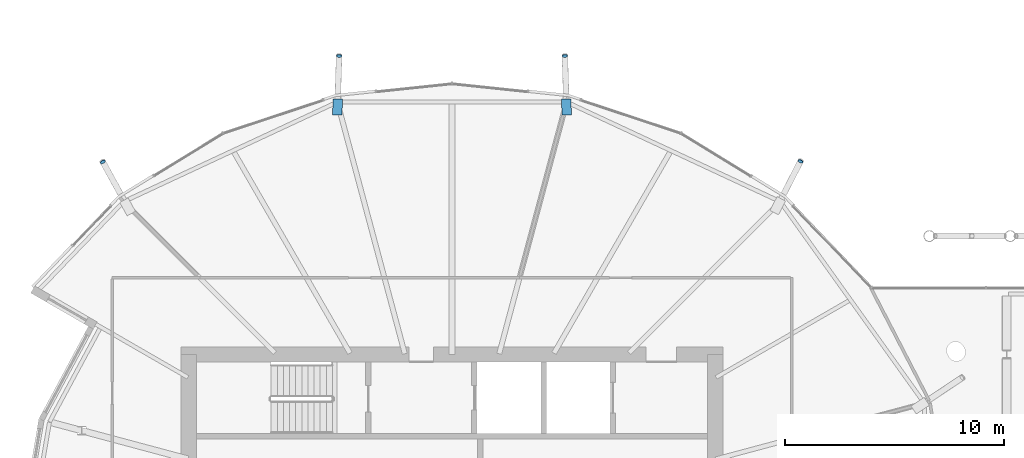
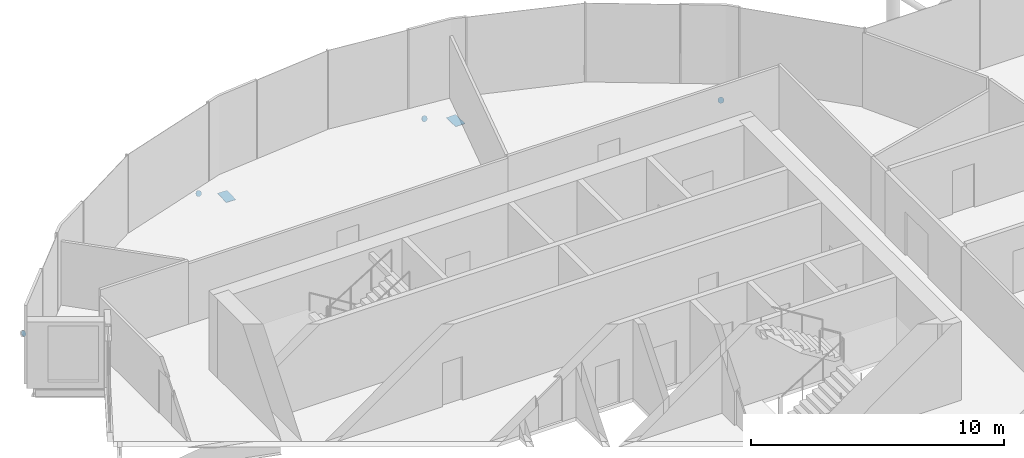
# One storey, part 33 of 40: 6 discrete accessories.
"""IFC4 building model written with IfcOpenShell, lengths in metres."""

from ifc_helpers import new_model, si_unit, direction, frame, origin, origin_2d, place, context, subcontext, project, spatial, polyline, rectangle, circle, outline, extrude, material, material_profile, profile_set, type_object, element, save


model = new_model("IFC4")

# Units and contexts
model_context = context("Model", 3, precision=1e-05, world=origin(), true_north=direction((0.0, 1.0)))
body_context = subcontext(model_context, "Body", "Model", "MODEL_VIEW")
ifc_project = project(units=[si_unit("LENGTHUNIT", "METRE"), si_unit("AREAUNIT", "SQUARE_METRE"), si_unit("VOLUMEUNIT", "CUBIC_METRE"), si_unit("PLANEANGLEUNIT", "RADIAN"), si_unit("MASSUNIT", "GRAM", prefix="KILO")], contexts=[model_context])

# Site, building, storey
site_placement = place(None, origin())
site = spatial("IfcSite", under=ifc_project, at=site_placement, CompositionType="ELEMENT")
building_placement = place(site_placement, origin())
building = spatial("IfcBuilding", under=site, at=building_placement, Name="Rimbun Link Towers", CompositionType="ELEMENT")
storey_placement = place(building_placement, frame((0.0, 0.0, 150.60009765625)))
storey = spatial("IfcBuildingStorey", under=building, at=storey_placement, Name="L36", CompositionType="ELEMENT", Elevation=150.60009765625)

# Discrete accessories
ifc_material_1 = material(Name="Steel S355J2H", Category="steel")
ifc_material_profile_1 = material_profile(ifc_material_1, circle(Radius=0.1240234375, at=origin_2d()), Name="PL D248")
ifc_profile_set_1 = profile_set([ifc_material_profile_1], Name="Steel S355J2H")
discrete_accessory_type_1 = type_object("IfcDiscreteAccessoryType", Name="Link foot sealing plate D248X20", PredefinedType="BRACKET", material=ifc_profile_set_1)
for number, where, z_axis, x_axis, name in (
    (1, (-15.858154296875, 16.803466796875, -2.034912109375), (0.391702981418, 0.771165244667, -0.501869444942), (-0.891578868093, 0.452865456809, 0.0), "Link foot sealing plate T1 L36 03"),
    (2, (-26.60009765625, 21.61181640625, -2.08154296875), (-0.024274991071, 0.873899678569, -0.485499821427), (-0.999614420653, -0.02776706724, 0.0), "Link foot sealing plate T1 L36 05"),
    (3, (-36.89990234375, 21.61181640625, -2.08154296875), (0.024274991071, 0.873899678569, -0.485499821427), (-0.999614420653, 0.02776706724, 0.0), "Link foot sealing plate T1 L36 07"),
):
    element("IfcDiscreteAccessory", number, at=place(storey_placement, frame(where, z_axis=z_axis, x_axis=x_axis)), inside=storey, type_object=discrete_accessory_type_1, Name=name, PredefinedType="BRACKET", context=body_context, shape_type="SweptSolid", body=[
        extrude(circle(Radius=0.1240234375, at=origin_2d()), origin(), (0.0, 0.0, 1.0), 0.02001953125),
    ])
discrete_accessory_1_placement = place(storey_placement, frame((-47.67333984375, 16.779296875, -2.124267578125), z_axis=(-0.41721717385, 0.74853669426, -0.515385920638), x_axis=(-0.873480989114, -0.486858256227, 0.0)))
element("IfcDiscreteAccessory", 4, at=discrete_accessory_1_placement, inside=storey, type_object=discrete_accessory_type_1, Name="Link foot sealing plate T1 L36 09", PredefinedType="BRACKET", context=body_context, shape_type="SweptSolid", body=[
    extrude(circle(Radius=0.1240234375, at=origin_2d()), origin(), (0.0, 0.0, 1.0), 0.019775390625),
])
ifc_material_2 = material(Name="Steel S355J2H", Category="steel")
ifc_material_profile_2 = material_profile(ifc_material_2, rectangle(XDim=0.43310546875, YDim=0.43310546875, at=origin_2d()), Name="PL 433x433")
ifc_profile_set_2 = profile_set([ifc_material_profile_2], Name="Steel S355J2H")
discrete_accessory_type_2 = type_object("IfcDiscreteAccessoryType", Name="Link head end plate 433X20", PredefinedType="BRACKET", material=ifc_profile_set_2)
discrete_accessory_2_placement = place(storey_placement, frame((0.0, 0.0, -0.802734375)))
element("IfcDiscreteAccessory", 5, at=discrete_accessory_2_placement, inside=storey, type_object=discrete_accessory_type_2, Name="Link head end plate T1 L36 05", PredefinedType="BRACKET", context=body_context, shape_type="SweptSolid", body=[
    extrude(outline(polyline([(-26.30126953125, 18.927978515625), (-26.323486328125, 19.654541015625), (-26.75634765625, 19.641357421875), (-26.734130859375, 18.914794921875), (-26.30126953125, 18.927978515625)])), origin(), (0.0, 0.0, 1.0), 0.02001953125),
])
discrete_accessory_3_placement = place(storey_placement, frame((0.0, 0.0, -0.802734375)))
element("IfcDiscreteAccessory", 6, at=discrete_accessory_3_placement, inside=storey, type_object=discrete_accessory_type_2, Name="Link head end plate T1 L36 07", PredefinedType="BRACKET", context=body_context, shape_type="SweptSolid", body=[
    extrude(outline(polyline([(-36.765869140625, 18.914794921875), (-36.74365234375, 19.641357421875), (-37.176513671875, 19.654541015625), (-37.19873046875, 18.927978515625), (-36.765869140625, 18.914794921875)])), origin(), (0.0, 0.0, 1.0), 0.02001953125),
])

save(model, "model.ifc")
